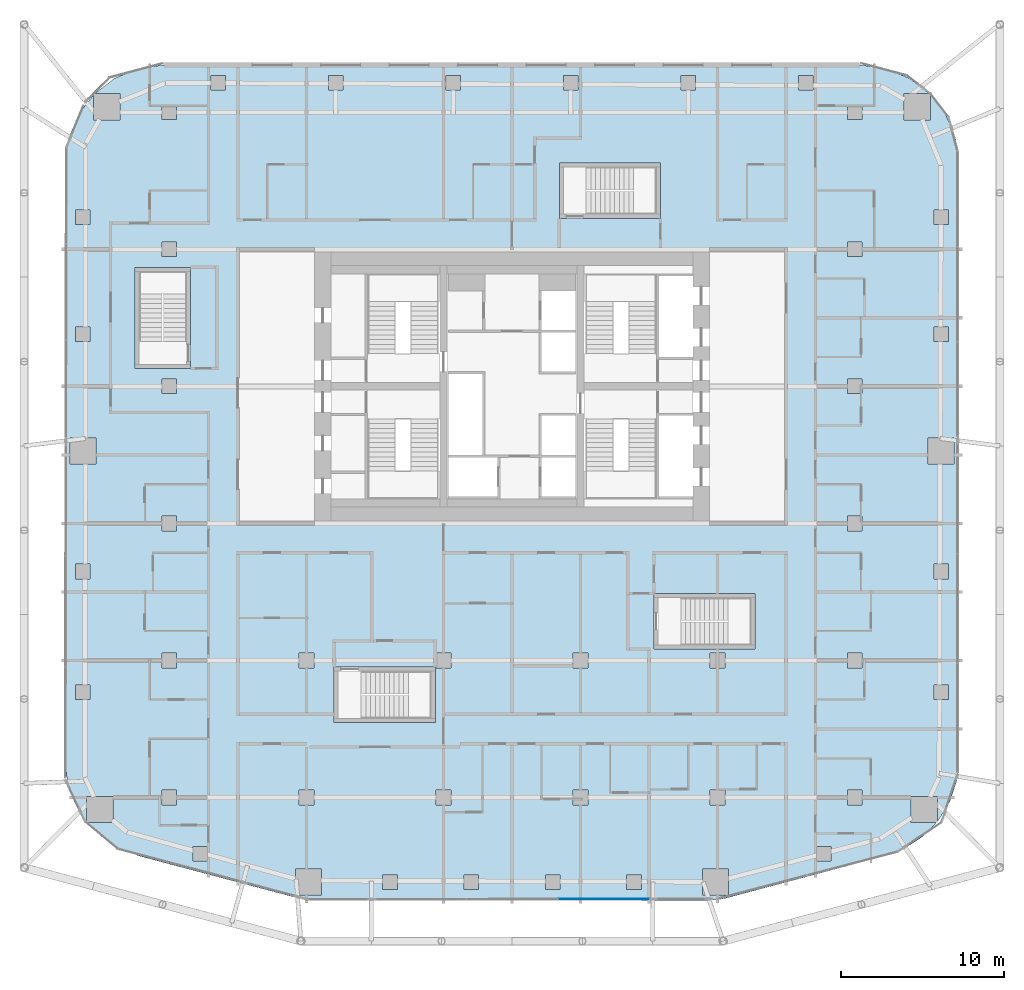
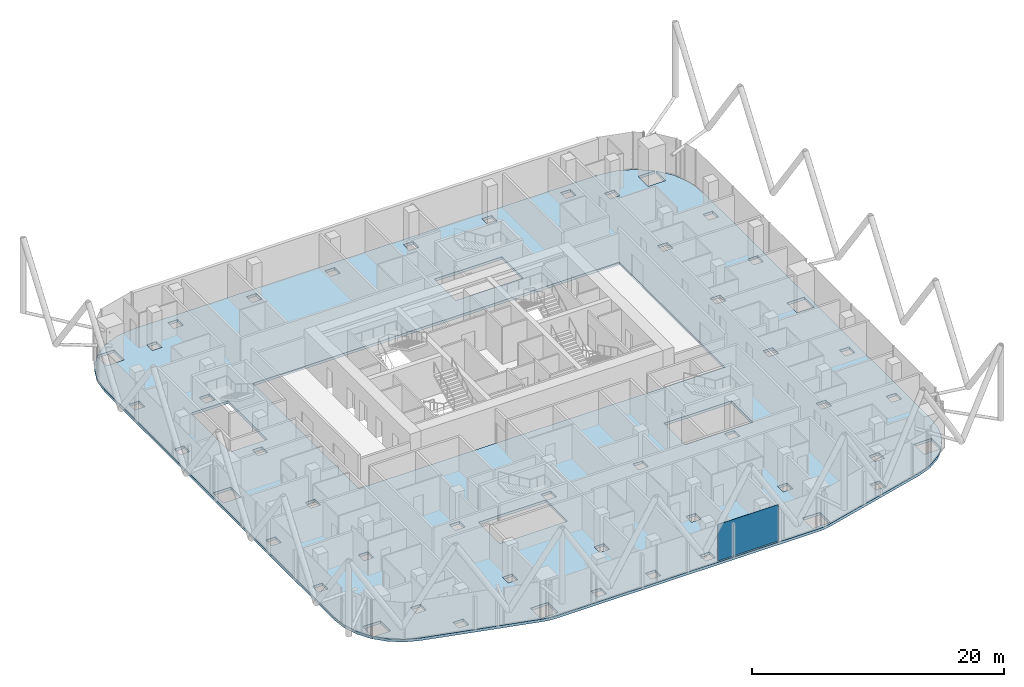
# One storey, part 21 of 36: 1 plate, 1 slab, 1 element without a shape of its own.
"""IFC4 building model written with IfcOpenShell, lengths in metres."""

from ifc_helpers import new_model, si_unit, direction, frame, origin, origin_2d, place, context, subcontext, project, spatial, polyline, rectangle, outline, extrude, material, layer, layer_set, type_object, element, aggregate, save


model = new_model("IFC4")

# Units and contexts
model_context = context("Model", 3, precision=1e-05, world=origin(), true_north=direction((0.0, 1.0)))
body_context = subcontext(model_context, "Body", "Model", "MODEL_VIEW")
ifc_project = project(units=[si_unit("LENGTHUNIT", "METRE"), si_unit("AREAUNIT", "SQUARE_METRE"), si_unit("VOLUMEUNIT", "CUBIC_METRE"), si_unit("PLANEANGLEUNIT", "RADIAN"), si_unit("MASSUNIT", "GRAM", prefix="KILO")], contexts=[model_context])

# Site, building, storey
site_placement = place(None, origin())
site = spatial("IfcSite", under=ifc_project, at=site_placement, CompositionType="ELEMENT")
building_placement = place(site_placement, origin())
building = spatial("IfcBuilding", under=site, at=building_placement, Name="Marenta Gate Hotel Tower", CompositionType="ELEMENT")
storey_placement = place(building_placement, frame((0.0, 0.0, 144.5)))
storey = spatial("IfcBuildingStorey", under=building, at=storey_placement, Name="L33", CompositionType="ELEMENT", Elevation=144.5)

# Slab
ifc_material_1 = material(Name="Concrete C35", Category="concrete")
ifc_layer_1 = layer(ifc_material_1, 0.260009765625)
ifc_layer_set_1 = layer_set([ifc_layer_1], Name="Concrete C35")
slab_type = type_object("IfcSlabType", Name="Concrete floor slab 260", PredefinedType="FLOOR", material=ifc_layer_set_1)
slab_placement = place(storey_placement, frame((0.0, 0.0, -0.260009765625)))
element("IfcSlab", 1, at=slab_placement, inside=storey, type_object=slab_type, Name="L33-SL-1", PredefinedType="FLOOR", context=body_context, shape_type="SweptSolid", body=[
    extrude(outline(polyline([(-25.213623046875, -19.1640625), (-26.011474609375, -18.3330078125), (-24.462890625, -18.3330078125), (-24.462890625, -16.73291015625), (-26.06298828125, -16.73291015625), (-26.06298828125, -18.279296875), (-26.13525390625, -18.2041015625), (-26.826904296875, -17.06689453125), (-27.25537109375, -15.80712890625), (-27.39990234375, -14.48974609375), (-27.39990234375, 22.006591796875), (-27.193115234375, 23.5791015625), (-26.58349609375, 25.050537109375), (-25.635498046875, 26.285888671875), (-25.635498046875, 24.735595703125), (-24.035400390625, 24.735595703125), (-24.035400390625, 26.33544921875), (-25.585693359375, 26.33544921875), (-24.350341796875, 27.283447265625), (-22.87890625, 27.89306640625), (-21.306640625, 28.10009765625), (21.306640625, 28.10009765625), (22.87890625, 27.89306640625), (24.350341796875, 27.283447265625), (25.585693359375, 26.33544921875), (24.035400390625, 26.33544921875), (24.035400390625, 24.735595703125), (25.635498046875, 24.735595703125), (25.635498046875, 26.285888671875), (26.58349609375, 25.050537109375), (27.193115234375, 23.5791015625), (27.39990234375, 22.006591796875), (27.39990234375, -14.48974609375), (27.25537109375, -15.80712890625), (26.826904296875, -17.06689453125), (26.13525390625, -18.2041015625), (26.06298828125, -18.279296875), (26.06298828125, -16.73291015625), (24.462890625, -16.73291015625), (24.462890625, -18.3330078125), (26.011474609375, -18.3330078125), (25.213623046875, -19.1640625), (24.105712890625, -19.9013671875), (22.86962890625, -20.37890625), (13.126708984375, -22.963623046875), (12.608642578125, -23.065673828125), (12.08154296875, -23.10009765625), (-12.08154296875, -23.10009765625), (-12.608642578125, -23.065673828125), (-13.126708984375, -22.963623046875), (-22.86962890625, -20.37890625), (-24.105712890625, -19.9013671875), (-25.213623046875, -19.1640625)]), holes=[polyline([(-16.800048828125, 0.0), (16.800048828125, 0.0), (16.800048828125, 16.800048828125), (-16.800048828125, 16.800048828125), (-16.800048828125, 0.0)]), polyline([(-18.65673828125, -19.7890625), (-19.556884765625, -19.7890625), (-19.556884765625, -20.689208984375), (-18.65673828125, -20.689208984375), (-18.65673828125, -19.7890625)]), polyline([(-20.550048828125, -17.25), (-20.550048828125, -16.35009765625), (-21.449951171875, -16.35009765625), (-21.449951171875, -17.25), (-20.550048828125, -17.25)]), polyline([(-12.14990234375, -16.35009765625), (-13.050048828125, -16.35009765625), (-13.050048828125, -17.25), (-12.14990234375, -17.25), (-12.14990234375, -16.35009765625)]), polyline([(-25.85009765625, -10.802001953125), (-25.85009765625, -9.90185546875), (-26.75, -9.90185546875), (-26.75, -10.802001953125), (-25.85009765625, -10.802001953125)]), polyline([(-20.550048828125, -8.85009765625), (-20.550048828125, -7.949951171875), (-21.449951171875, -7.949951171875), (-21.449951171875, -8.85009765625), (-20.550048828125, -8.85009765625)]), polyline([(-25.85009765625, -2.5009765625), (-26.75, -2.5009765625), (-26.75, -3.40087890625), (-25.85009765625, -3.40087890625), (-25.85009765625, -2.5009765625)]), polyline([(-20.550048828125, -0.449951171875), (-20.550048828125, 0.449951171875), (-21.449951171875, 0.449951171875), (-21.449951171875, -0.449951171875), (-20.550048828125, -0.449951171875)]), polyline([(-25.5, 3.64990234375), (-25.5, 5.25), (-27.10009765625, 5.25), (-27.10009765625, 3.64990234375), (-25.5, 3.64990234375)]), polyline([(-20.550048828125, 8.85009765625), (-21.449951171875, 8.85009765625), (-21.449951171875, 7.949951171875), (-20.550048828125, 7.949951171875), (-20.550048828125, 8.85009765625)]), polyline([(-25.85009765625, 11.1533203125), (-25.85009765625, 12.05322265625), (-26.75, 12.05322265625), (-26.75, 11.1533203125), (-25.85009765625, 11.1533203125)]), polyline([(-20.550048828125, 16.35009765625), (-20.550048828125, 17.25), (-21.449951171875, 17.25), (-21.449951171875, 16.35009765625), (-20.550048828125, 16.35009765625)]), polyline([(-25.85009765625, 19.206298828125), (-26.75, 19.206298828125), (-26.75, 18.306396484375), (-25.85009765625, 18.306396484375), (-25.85009765625, 19.206298828125)]), polyline([(-20.550048828125, 24.75), (-20.550048828125, 25.64990234375), (-21.449951171875, 25.64990234375), (-21.449951171875, 24.75), (-20.550048828125, 24.75)]), polyline([(-17.556884765625, 27.449951171875), (-18.456787109375, 27.449951171875), (-18.456787109375, 26.550048828125), (-17.556884765625, 26.550048828125), (-17.556884765625, 27.449951171875)]), polyline([(-7.030029296875, -22.449951171875), (-7.030029296875, -21.550048828125), (-7.93017578125, -21.550048828125), (-7.93017578125, -22.449951171875), (-7.030029296875, -22.449951171875)]), polyline([(-2.04345703125, -22.449951171875), (-2.04345703125, -21.550048828125), (-2.943359375, -21.550048828125), (-2.943359375, -22.449951171875), (-2.04345703125, -22.449951171875)]), polyline([(2.943359375, -21.550048828125), (2.04345703125, -21.550048828125), (2.04345703125, -22.449951171875), (2.943359375, -22.449951171875), (2.943359375, -21.550048828125)]), polyline([(7.93017578125, -22.449951171875), (7.93017578125, -21.550048828125), (7.030029296875, -21.550048828125), (7.030029296875, -22.449951171875), (7.93017578125, -22.449951171875)]), polyline([(-11.666259765625, -22.77490234375), (-11.666259765625, -21.1748046875), (-13.266357421875, -21.1748046875), (-13.266357421875, -22.77490234375), (-11.666259765625, -22.77490234375)]), polyline([(13.266357421875, -21.1748046875), (11.666259765625, -21.1748046875), (11.666259765625, -22.77490234375), (13.266357421875, -22.77490234375), (13.266357421875, -21.1748046875)]), polyline([(-3.75, -17.25), (-3.75, -16.35009765625), (-4.64990234375, -16.35009765625), (-4.64990234375, -17.25), (-3.75, -17.25)]), polyline([(4.64990234375, -17.25), (4.64990234375, -16.35009765625), (3.75, -16.35009765625), (3.75, -17.25), (4.64990234375, -17.25)]), polyline([(13.050048828125, -16.35009765625), (12.14990234375, -16.35009765625), (12.14990234375, -17.25), (13.050048828125, -17.25), (13.050048828125, -16.35009765625)]), polyline([(-12.14990234375, -8.85009765625), (-12.14990234375, -7.949951171875), (-13.050048828125, -7.949951171875), (-13.050048828125, -8.85009765625), (-12.14990234375, -8.85009765625)]), polyline([(-3.75, -8.85009765625), (-3.75, -7.949951171875), (-4.64990234375, -7.949951171875), (-4.64990234375, -8.85009765625), (-3.75, -8.85009765625)]), polyline([(4.64990234375, -7.949951171875), (3.75, -7.949951171875), (3.75, -8.85009765625), (4.64990234375, -8.85009765625), (4.64990234375, -7.949951171875)]), polyline([(-10.35400390625, 26.550048828125), (-10.35400390625, 27.449951171875), (-11.254150390625, 27.449951171875), (-11.254150390625, 26.550048828125), (-10.35400390625, 26.550048828125)]), polyline([(-3.1513671875, 26.550048828125), (-3.1513671875, 27.449951171875), (-4.051513671875, 27.449951171875), (-4.051513671875, 26.550048828125), (-3.1513671875, 26.550048828125)]), polyline([(4.051513671875, 27.449951171875), (3.1513671875, 27.449951171875), (3.1513671875, 26.550048828125), (4.051513671875, 26.550048828125), (4.051513671875, 27.449951171875)]), polyline([(11.254150390625, 26.550048828125), (11.254150390625, 27.449951171875), (10.35400390625, 27.449951171875), (10.35400390625, 26.550048828125), (11.254150390625, 26.550048828125)]), polyline([(19.556884765625, -20.689208984375), (19.556884765625, -19.7890625), (18.65673828125, -19.7890625), (18.65673828125, -20.689208984375), (19.556884765625, -20.689208984375)]), polyline([(21.449951171875, -17.25), (21.449951171875, -16.35009765625), (20.550048828125, -16.35009765625), (20.550048828125, -17.25), (21.449951171875, -17.25)]), polyline([(26.75, -10.802001953125), (26.75, -9.90185546875), (25.85009765625, -9.90185546875), (25.85009765625, -10.802001953125), (26.75, -10.802001953125)]), polyline([(13.050048828125, -7.949951171875), (12.14990234375, -7.949951171875), (12.14990234375, -8.85009765625), (13.050048828125, -8.85009765625), (13.050048828125, -7.949951171875)]), polyline([(21.449951171875, -8.85009765625), (21.449951171875, -7.949951171875), (20.550048828125, -7.949951171875), (20.550048828125, -8.85009765625), (21.449951171875, -8.85009765625)]), polyline([(26.75, -3.40087890625), (26.75, -2.5009765625), (25.85009765625, -2.5009765625), (25.85009765625, -3.40087890625), (26.75, -3.40087890625)]), polyline([(21.449951171875, 0.449951171875), (20.550048828125, 0.449951171875), (20.550048828125, -0.449951171875), (21.449951171875, -0.449951171875), (21.449951171875, 0.449951171875)]), polyline([(27.10009765625, 3.64990234375), (27.10009765625, 5.25), (25.5, 5.25), (25.5, 3.64990234375), (27.10009765625, 3.64990234375)]), polyline([(21.449951171875, 7.949951171875), (21.449951171875, 8.85009765625), (20.550048828125, 8.85009765625), (20.550048828125, 7.949951171875), (21.449951171875, 7.949951171875)]), polyline([(26.75, 12.05322265625), (25.85009765625, 12.05322265625), (25.85009765625, 11.1533203125), (26.75, 11.1533203125), (26.75, 12.05322265625)]), polyline([(21.449951171875, 16.35009765625), (21.449951171875, 17.25), (20.550048828125, 17.25), (20.550048828125, 16.35009765625), (21.449951171875, 16.35009765625)]), polyline([(26.75, 18.306396484375), (26.75, 19.206298828125), (25.85009765625, 19.206298828125), (25.85009765625, 18.306396484375), (26.75, 18.306396484375)]), polyline([(21.449951171875, 25.64990234375), (20.550048828125, 25.64990234375), (20.550048828125, 24.75), (21.449951171875, 24.75), (21.449951171875, 25.64990234375)]), polyline([(18.456787109375, 26.550048828125), (18.456787109375, 27.449951171875), (17.556884765625, 27.449951171875), (17.556884765625, 26.550048828125), (18.456787109375, 26.550048828125)]), polyline([(-10.89990234375, -12.199951171875), (-4.699951171875, -12.199951171875), (-4.699951171875, -8.800048828125), (-10.89990234375, -8.800048828125), (-10.89990234375, -12.199951171875)]), polyline([(8.699951171875, -7.699951171875), (14.89990234375, -7.699951171875), (14.89990234375, -4.300048828125), (8.699951171875, -4.300048828125), (8.699951171875, -7.699951171875)]), polyline([(-23.10009765625, 9.5), (-19.699951171875, 9.5), (-19.699951171875, 15.699951171875), (-23.10009765625, 15.699951171875), (-23.10009765625, 9.5)]), polyline([(2.89990234375, 18.699951171875), (9.10009765625, 18.699951171875), (9.10009765625, 22.10009765625), (2.89990234375, 22.10009765625), (2.89990234375, 18.699951171875)])]), origin(), (0.0, 0.0, 1.0), 0.260009765625),
])

# Curtain wall, plate
ifc_material_2 = material(Name="Tinted insulated glass in bronze anodised frame", Category="glass")
ifc_layer_2 = layer(ifc_material_2, 0.1201171875)
ifc_layer_set_2 = layer_set([ifc_layer_2], Name="Tinted insulated glass in bronze anodised frame")
curtain_wall_type = type_object("IfcCurtainWallType", Name="Tower unitised curtain wall CW1", PredefinedType="NOTDEFINED", material=ifc_layer_set_2)
curtain_wall_placement = place(storey_placement, origin())
curtain_wall = element("IfcCurtainWall", 2, at=curtain_wall_placement, inside=storey, type_object=curtain_wall_type, Name="CW1 run G21", PredefinedType="NOTDEFINED")
ifc_material_3 = material(Name="Tinted insulated glass", Category="glass")
ifc_layer_3 = layer(ifc_material_3, 0.028076171875)
ifc_layer_set_3 = layer_set([ifc_layer_3], Name="Tinted insulated glass")
plate_type = type_object("IfcPlateType", Name="Glass panel CW1 28 mm tinted insulated unit", PredefinedType="CURTAIN_PANEL", material=ifc_layer_set_3)
plate_placement = place(storey_placement, frame((5.622802734375, -23.022705078125, 0.06005859375), z_axis=(0.0, 0.0, 1.0), x_axis=(0.999999070887, 0.001363166999, 0.0)))
plate = element("IfcPlate", 3, at=plate_placement, type_object=plate_type, Name="CW1 panel 3.1", PredefinedType="CURTAIN_PANEL", context=body_context, shape_type="SweptSolid", body=[
    extrude(rectangle(XDim=5.569580078125, YDim=0.028076171875, at=origin_2d()), origin(), (0.0, 0.0, 1.0), 3.5400390625),
])
aggregate(curtain_wall, [plate])

save(model, "model.ifc")
